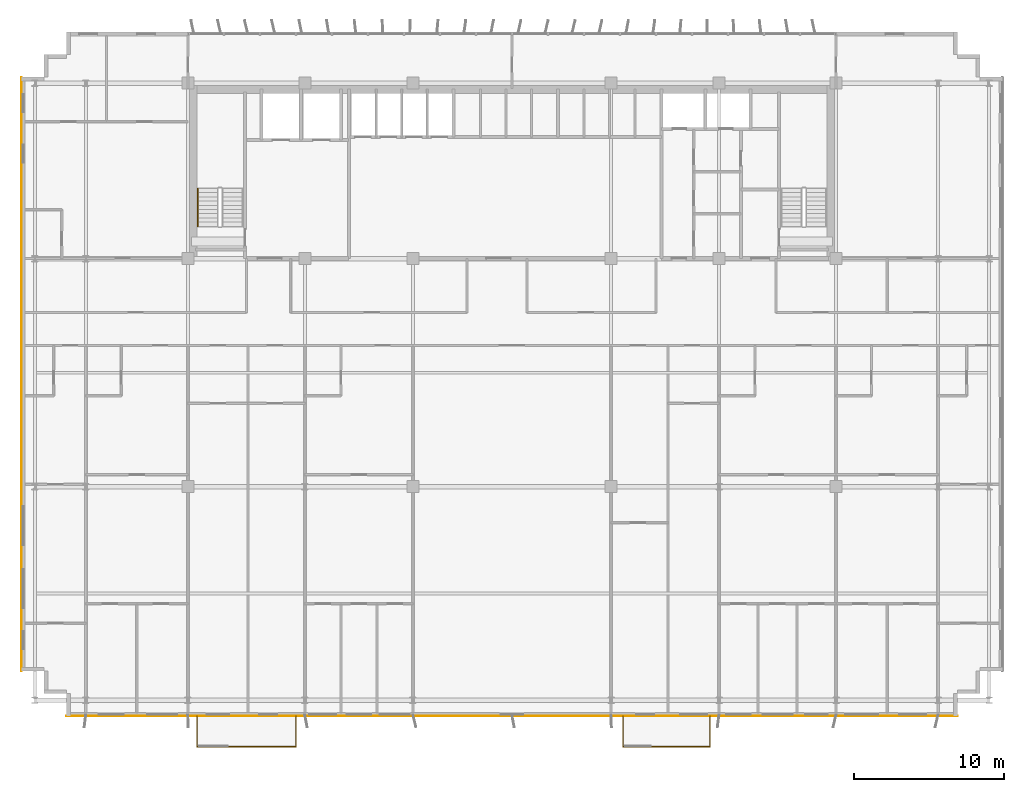
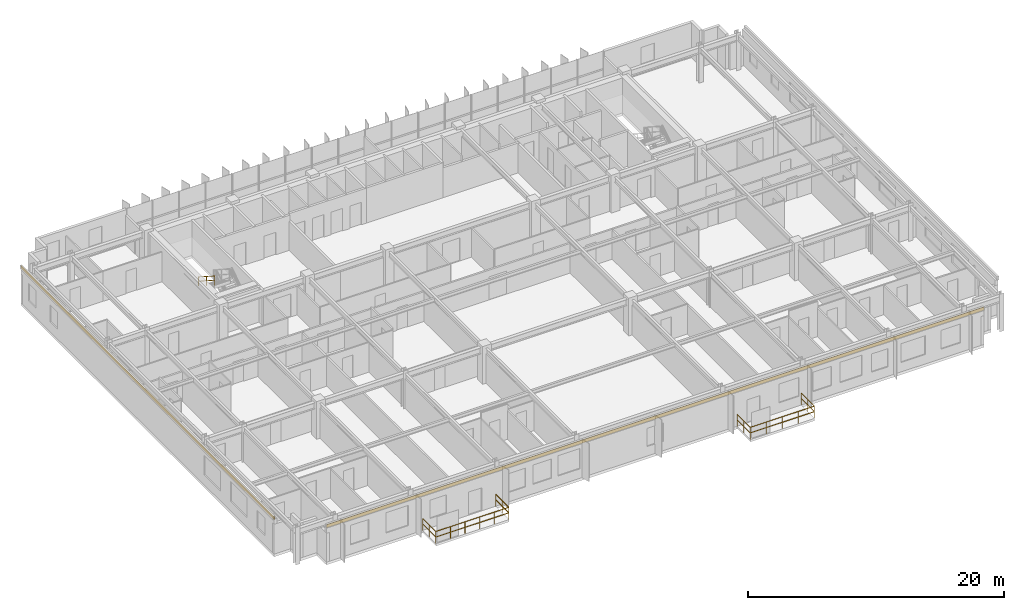
# One storey, part 20 of 22: 7 railings, 2 coverings.
"""IFC4 building model written with IfcOpenShell, lengths in metres."""

from ifc_helpers import new_model, si_unit, direction, frame, origin, origin_2d, place, context, subcontext, project, spatial, rectangle, extrude, source, transform, mapped, material, layer, layer_set, type_object, element, save


model = new_model("IFC4")

# Units and contexts
model_context = context("Model", 3, precision=1e-05, world=origin(), true_north=direction((0.0, 1.0)))
body_context = subcontext(model_context, "Body", "Model", "MODEL_VIEW")
ifc_project = project(units=[si_unit("LENGTHUNIT", "METRE"), si_unit("AREAUNIT", "SQUARE_METRE"), si_unit("VOLUMEUNIT", "CUBIC_METRE"), si_unit("PLANEANGLEUNIT", "RADIAN"), si_unit("MASSUNIT", "GRAM", prefix="KILO")], contexts=[model_context])

# Site, building, storey
site_placement = place(None, origin())
site = spatial("IfcSite", under=ifc_project, at=site_placement, CompositionType="ELEMENT")
building_placement = place(site_placement, origin())
building = spatial("IfcBuilding", under=site, at=building_placement, Name="Trelvane Seafront Commons", CompositionType="ELEMENT")
storey_placement = place(building_placement, frame((0.0, 0.0, 96.10009765625)))
storey = spatial("IfcBuildingStorey", under=building, at=storey_placement, Name="L24", CompositionType="ELEMENT", Elevation=96.10009765625)

# Railings
ifc_material_1 = material(Name="Stainless steel balustrade", Category="steel")
railing_type_1 = type_object("IfcRailingType", Name="ARCH-RAIL-BAL1150", PredefinedType="BALUSTRADE", material=ifc_material_1)
railing_1_placement = place(storey_placement, frame((16.199951171875, 2.89990234375, 0.0)))
element("IfcRailing", 1, at=railing_1_placement, inside=storey, type_object=railing_type_1, Name="RL-L24-BAL0-01", PredefinedType="BALUSTRADE", context=body_context, shape_type="SweptSolid", body=[
    extrude(rectangle(XDim=0.048095703125, YDim=0.048095703125, at=origin_2d()), frame((0.0, 0.0, 1.1259765625), z_axis=(0.0, -1.0, 0.0), x_axis=(1.0, 0.0, 0.0)), (0.0, 0.0, 1.0), 2.039794921875),
    extrude(rectangle(XDim=0.048095703125, YDim=0.048095703125, at=origin_2d()), frame((0.0, 0.0, 0.597900390625), z_axis=(0.0, -1.0, 0.0), x_axis=(1.0, 0.0, 0.0)), (0.0, 0.0, 1.0), 2.039794921875),
    extrude(rectangle(XDim=0.0419921875, YDim=0.0419921875, at=origin_2d()), origin(), (0.0, 0.0, 1.0), 1.1259765625),
    extrude(rectangle(XDim=0.0419921875, YDim=0.0419921875, at=origin_2d()), frame((0.0, -1.02001953125, 0.0)), (0.0, 0.0, 1.0), 1.1259765625),
    extrude(rectangle(XDim=0.0419921875, YDim=0.0419921875, at=origin_2d()), frame((0.0, -2.039794921875, 0.0)), (0.0, 0.0, 1.0), 1.1259765625),
])
railing_2_placement = place(storey_placement, frame((16.199951171875, 0.860107421875, 0.0)))
element("IfcRailing", 2, at=railing_2_placement, inside=storey, type_object=railing_type_1, Name="RL-L24-BAL0-02", PredefinedType="BALUSTRADE", context=body_context, shape_type="SweptSolid", body=[
    extrude(rectangle(XDim=0.048095703125, YDim=0.048095703125, at=origin_2d()), frame((0.0, 0.0, 1.1259765625), z_axis=(1.0, 0.0, 0.0), x_axis=(0.0, 1.0, 0.0)), (0.0, 0.0, 1.0), 6.60009765625),
    extrude(rectangle(XDim=0.048095703125, YDim=0.048095703125, at=origin_2d()), frame((0.0, 0.0, 0.597900390625), z_axis=(1.0, 0.0, 0.0), x_axis=(0.0, 1.0, 0.0)), (0.0, 0.0, 1.0), 6.60009765625),
    extrude(rectangle(XDim=0.0419921875, YDim=0.0419921875, at=origin_2d()), origin(), (0.0, 0.0, 1.0), 1.1259765625),
    extrude(rectangle(XDim=0.0419921875, YDim=0.0419921875, at=origin_2d()), frame((1.320068359375, 0.0, 0.0)), (0.0, 0.0, 1.0), 1.1259765625),
    extrude(rectangle(XDim=0.0419921875, YDim=0.0419921875, at=origin_2d()), frame((2.64013671875, 0.0, 0.0)), (0.0, 0.0, 1.0), 1.1259765625),
    extrude(rectangle(XDim=0.0419921875, YDim=0.0419921875, at=origin_2d()), frame((3.9599609375, 0.0, 0.0)), (0.0, 0.0, 1.0), 1.1259765625),
    extrude(rectangle(XDim=0.0419921875, YDim=0.0419921875, at=origin_2d()), frame((5.280029296875, 0.0, 0.0)), (0.0, 0.0, 1.0), 1.1259765625),
    extrude(rectangle(XDim=0.0419921875, YDim=0.0419921875, at=origin_2d()), frame((6.60009765625, 0.0, 0.0)), (0.0, 0.0, 1.0), 1.1259765625),
])
railing_3_placement = place(storey_placement, frame((22.800048828125, 0.860107421875, 0.0)))
element("IfcRailing", 3, at=railing_3_placement, inside=storey, type_object=railing_type_1, Name="RL-L24-BAL0-03", PredefinedType="BALUSTRADE", context=body_context, shape_type="SweptSolid", body=[
    extrude(rectangle(XDim=0.048095703125, YDim=0.048095703125, at=origin_2d()), frame((0.0, 0.0, 1.1259765625), z_axis=(0.0, 1.0, 0.0), x_axis=(-1.0, 0.0, 0.0)), (0.0, 0.0, 1.0), 2.039794921875),
    extrude(rectangle(XDim=0.048095703125, YDim=0.048095703125, at=origin_2d()), frame((0.0, 0.0, 0.597900390625), z_axis=(0.0, 1.0, 0.0), x_axis=(-1.0, 0.0, 0.0)), (0.0, 0.0, 1.0), 2.039794921875),
    extrude(rectangle(XDim=0.0419921875, YDim=0.0419921875, at=origin_2d()), origin(), (0.0, 0.0, 1.0), 1.1259765625),
    extrude(rectangle(XDim=0.0419921875, YDim=0.0419921875, at=origin_2d()), frame((0.0, 1.02001953125, 0.0)), (0.0, 0.0, 1.0), 1.1259765625),
    extrude(rectangle(XDim=0.0419921875, YDim=0.0419921875, at=origin_2d()), frame((0.0, 2.039794921875, 0.0)), (0.0, 0.0, 1.0), 1.1259765625),
])
railing_4_placement = place(storey_placement, frame((44.60009765625, 2.89990234375, 0.0)))
element("IfcRailing", 4, at=railing_4_placement, inside=storey, type_object=railing_type_1, Name="RL-L24-BAL1-01", PredefinedType="BALUSTRADE", context=body_context, shape_type="SweptSolid", body=[
    extrude(rectangle(XDim=0.048095703125, YDim=0.048095703125, at=origin_2d()), frame((0.0, 0.0, 1.1259765625), z_axis=(0.0, -1.0, 0.0), x_axis=(1.0, 0.0, 0.0)), (0.0, 0.0, 1.0), 2.039794921875),
    extrude(rectangle(XDim=0.048095703125, YDim=0.048095703125, at=origin_2d()), frame((0.0, 0.0, 0.597900390625), z_axis=(0.0, -1.0, 0.0), x_axis=(1.0, 0.0, 0.0)), (0.0, 0.0, 1.0), 2.039794921875),
    extrude(rectangle(XDim=0.0419921875, YDim=0.0419921875, at=origin_2d()), origin(), (0.0, 0.0, 1.0), 1.1259765625),
    extrude(rectangle(XDim=0.0419921875, YDim=0.0419921875, at=origin_2d()), frame((0.0, -1.02001953125, 0.0)), (0.0, 0.0, 1.0), 1.1259765625),
    extrude(rectangle(XDim=0.0419921875, YDim=0.0419921875, at=origin_2d()), frame((0.0, -2.039794921875, 0.0)), (0.0, 0.0, 1.0), 1.1259765625),
])
railing_5_placement = place(storey_placement, frame((44.60009765625, 0.860107421875, 0.0)))
element("IfcRailing", 5, at=railing_5_placement, inside=storey, type_object=railing_type_1, Name="RL-L24-BAL1-02", PredefinedType="BALUSTRADE", context=body_context, shape_type="SweptSolid", body=[
    extrude(rectangle(XDim=0.048095703125, YDim=0.048095703125, at=origin_2d()), frame((0.0, 0.0, 1.1259765625), z_axis=(1.0, 0.0, 0.0), x_axis=(0.0, 1.0, 0.0)), (0.0, 0.0, 1.0), 5.7998046875),
    extrude(rectangle(XDim=0.048095703125, YDim=0.048095703125, at=origin_2d()), frame((0.0, 0.0, 0.597900390625), z_axis=(1.0, 0.0, 0.0), x_axis=(0.0, 1.0, 0.0)), (0.0, 0.0, 1.0), 5.7998046875),
    extrude(rectangle(XDim=0.0419921875, YDim=0.0419921875, at=origin_2d()), origin(), (0.0, 0.0, 1.0), 1.1259765625),
    extrude(rectangle(XDim=0.0419921875, YDim=0.0419921875, at=origin_2d()), frame((1.449951171875, 0.0, 0.0)), (0.0, 0.0, 1.0), 1.1259765625),
    extrude(rectangle(XDim=0.0419921875, YDim=0.0419921875, at=origin_2d()), frame((2.89990234375, 0.0, 0.0)), (0.0, 0.0, 1.0), 1.1259765625),
    extrude(rectangle(XDim=0.0419921875, YDim=0.0419921875, at=origin_2d()), frame((4.349853515625, 0.0, 0.0)), (0.0, 0.0, 1.0), 1.1259765625),
    extrude(rectangle(XDim=0.0419921875, YDim=0.0419921875, at=origin_2d()), frame((5.7998046875, 0.0, 0.0)), (0.0, 0.0, 1.0), 1.1259765625),
])
railing_6_placement = place(storey_placement, frame((50.39990234375, 0.860107421875, 0.0)))
element("IfcRailing", 6, at=railing_6_placement, inside=storey, type_object=railing_type_1, Name="RL-L24-BAL1-03", PredefinedType="BALUSTRADE", context=body_context, shape_type="SweptSolid", body=[
    extrude(rectangle(XDim=0.048095703125, YDim=0.048095703125, at=origin_2d()), frame((0.0, 0.0, 1.1259765625), z_axis=(0.0, 1.0, 0.0), x_axis=(-1.0, 0.0, 0.0)), (0.0, 0.0, 1.0), 2.039794921875),
    extrude(rectangle(XDim=0.048095703125, YDim=0.048095703125, at=origin_2d()), frame((0.0, 0.0, 0.597900390625), z_axis=(0.0, 1.0, 0.0), x_axis=(-1.0, 0.0, 0.0)), (0.0, 0.0, 1.0), 2.039794921875),
    extrude(rectangle(XDim=0.0419921875, YDim=0.0419921875, at=origin_2d()), origin(), (0.0, 0.0, 1.0), 1.1259765625),
    extrude(rectangle(XDim=0.0419921875, YDim=0.0419921875, at=origin_2d()), frame((0.0, 1.02001953125, 0.0)), (0.0, 0.0, 1.0), 1.1259765625),
    extrude(rectangle(XDim=0.0419921875, YDim=0.0419921875, at=origin_2d()), frame((0.0, 2.039794921875, 0.0)), (0.0, 0.0, 1.0), 1.1259765625),
])
railing_type_2 = type_object("IfcRailingType", Name="ARCH-SRL-HAND", PredefinedType="HANDRAIL", material=ifc_material_1)
railing_7_placement = place(storey_placement, frame((16.25, 38.070068359375, 1.97998046875)))
element("IfcRailing", 7, at=railing_7_placement, inside=storey, type_object=railing_type_2, Name="L24 ST-1 stair handrail 2", PredefinedType="HANDRAIL", context=body_context, shape_type="SweptSolid", body=[
    extrude(rectangle(XDim=0.048095703125, YDim=0.048095703125, at=origin_2d()), frame((0.0, 0.0, 0.8759765625), z_axis=(0.0, -0.841199657755, 0.540724639528), x_axis=(1.0, 0.0, 0.0)), (0.0, 0.0, 1.0), 2.995849609375),
    extrude(rectangle(XDim=0.048095703125, YDim=0.048095703125, at=origin_2d()), frame((0.0, 0.0, 0.468017578125), z_axis=(0.0, -0.841199657755, 0.540724639528), x_axis=(1.0, 0.0, 0.0)), (0.0, 0.0, 1.0), 2.995849609375),
    extrude(rectangle(XDim=0.0419921875, YDim=0.0419921875, at=origin_2d()), origin(), (0.0, 0.0, 1.0), 0.8759765625),
    extrude(rectangle(XDim=0.0419921875, YDim=0.0419921875, at=origin_2d()), frame((0.0, -1.260009765625, 0.81005859375)), (0.0, 0.0, 1.0), 0.8759765625),
    extrude(rectangle(XDim=0.0419921875, YDim=0.0419921875, at=origin_2d()), frame((0.0, -2.52001953125, 1.619873046875)), (0.0, 0.0, 1.0), 0.8759765625),
])

# Coverings
ifc_material_2 = material(Name="Anodised pale-silver aluminium", Category="aluminium")
ifc_layer = layer(ifc_material_2, 0.034912109375, Name="ARCH-COV-CLAD35")
ifc_layer_set = layer_set([ifc_layer], Name="Anodised pale-silver aluminium")
covering_type = type_object("IfcCoveringType", Name="ARCH-COV-CLAD35", PredefinedType="CLADDING", material=ifc_layer_set)
shared_shape_1 = source(origin(), body_context, "Body", "SweptSolid", [
    extrude(rectangle(XDim=39.60009765625, YDim=0.034912109375, at=origin_2d()), origin(), (0.0, 0.0, 1.0), 0.300048828125),
])
covering_1_placement = place(storey_placement, frame((4.5, 25.699951171875, 3.2998046875), z_axis=(0.0, 0.0, 1.0), x_axis=(0.0, 1.0, 0.0)))
element("IfcCovering", 8, at=covering_1_placement, inside=storey, type_object=covering_type, Name="CLD-L24-00103", PredefinedType="CLADDING", context=body_context, shape_type="MappedRepresentation", body=[
    mapped(shared_shape_1, transform((0.0, 0.0, 0.0), x_axis=(1.0, 0.0, 0.0), y_axis=(0.0, 1.0, 0.0), z_axis=(0.0, 0.0, 1.0), scale=1.0)),
])
shared_shape_2 = source(origin(), body_context, "Body", "SweptSolid", [
    extrude(rectangle(XDim=59.39990234375, YDim=0.034912109375, at=origin_2d()), origin(), (0.0, 0.0, 1.0), 0.300048828125),
])
covering_2_placement = place(storey_placement, frame((37.199951171875, 2.89990234375, 3.2998046875), z_axis=(0.0, 0.0, 1.0), x_axis=(-1.0, 0.0, 0.0)))
element("IfcCovering", 9, at=covering_2_placement, inside=storey, type_object=covering_type, Name="CLD-L24-00105", PredefinedType="CLADDING", context=body_context, shape_type="MappedRepresentation", body=[
    mapped(shared_shape_2, transform((0.0, 0.0, 0.0), x_axis=(1.0, 0.0, 0.0), y_axis=(0.0, 1.0, 0.0), z_axis=(0.0, 0.0, 1.0), scale=1.0)),
])

save(model, "model.ifc")
